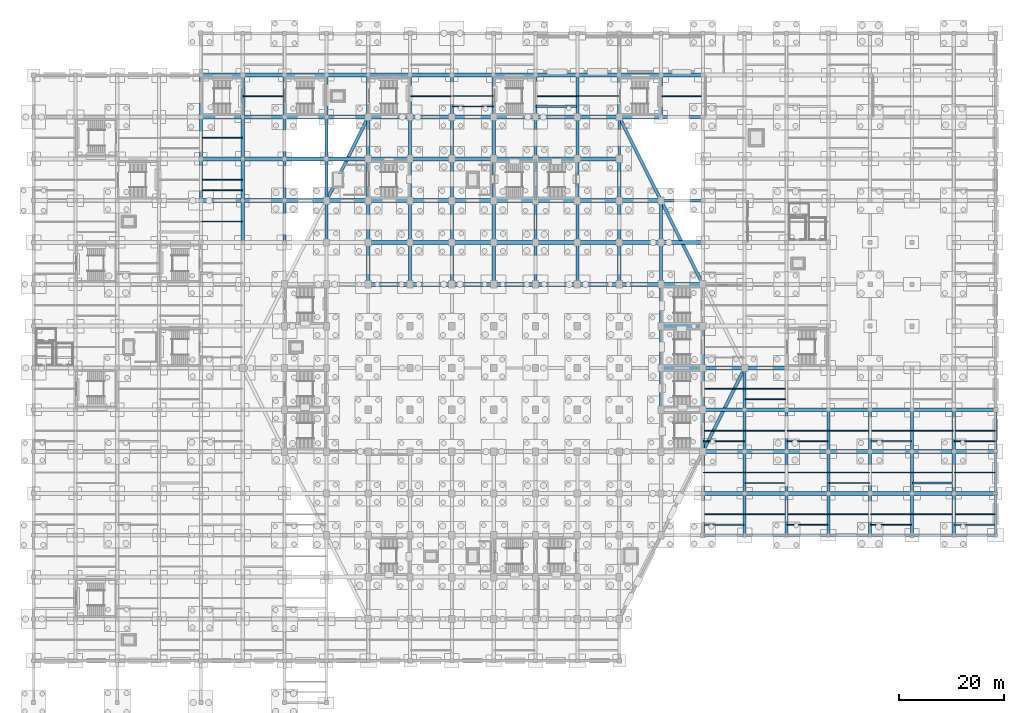
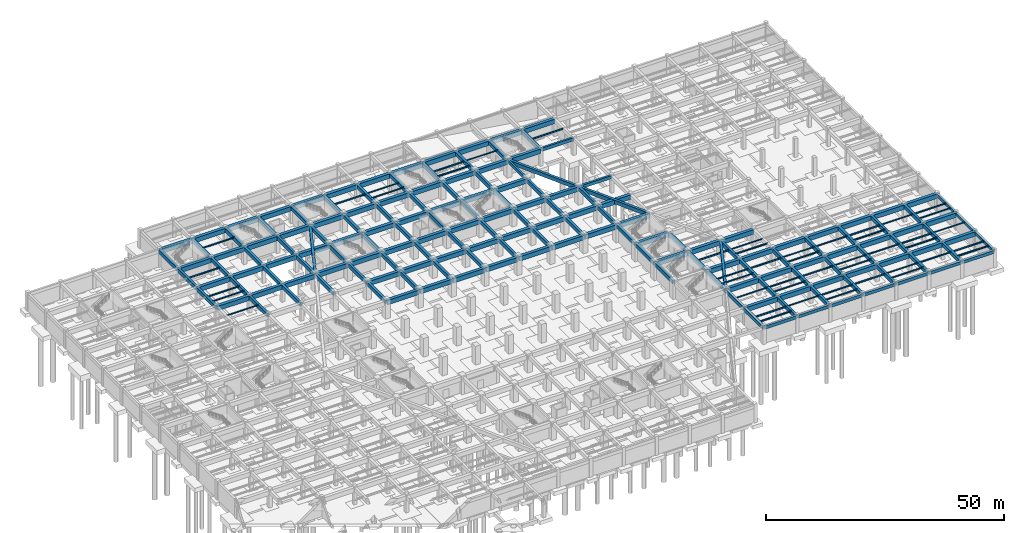
# One storey, part 19 of 36: 228 beams.
"""IFC4 building model written with IfcOpenShell, lengths in metres."""

from ifc_helpers import new_model, si_unit, direction, frame, origin, origin_2d, place, context, subcontext, project, spatial, rectangle, i_section, extrude, material, material_profile, profile_set, type_object, element, save


model = new_model("IFC4")

# Units and contexts
model_context = context("Model", 3, precision=1e-05, world=origin(), true_north=direction((0.0, 1.0)))
body_context = subcontext(model_context, "Body", "Model", "MODEL_VIEW")
ifc_project = project(units=[si_unit("LENGTHUNIT", "METRE"), si_unit("AREAUNIT", "SQUARE_METRE"), si_unit("VOLUMEUNIT", "CUBIC_METRE"), si_unit("PLANEANGLEUNIT", "RADIAN"), si_unit("MASSUNIT", "GRAM", prefix="KILO")], contexts=[model_context])

# Site, building, storey
site_placement = place(None, origin())
site = spatial("IfcSite", under=ifc_project, at=site_placement, CompositionType="ELEMENT")
building_placement = place(site_placement, origin())
building = spatial("IfcBuilding", under=site, at=building_placement, Name="Tazarka Park Arena", CompositionType="ELEMENT")
storey_placement = place(building_placement, frame((0.0, 0.0, -4.800048828125)))
storey = spatial("IfcBuildingStorey", under=building, at=storey_placement, Name="B1", CompositionType="ELEMENT", Elevation=-4.800048828125)

# Beams
ifc_material_1 = material(Name="Concrete C40/50", Category="concrete")
ifc_material_profile_1 = material_profile(ifc_material_1, rectangle(XDim=0.60009765625, YDim=0.949951171875, at=origin_2d()), Name="Concrete C40/50")
ifc_profile_set_1 = profile_set([ifc_material_profile_1], Name="Concrete C40/50")
beam_type_1 = type_object("IfcBeamType", Name="BM-B-03", PredefinedType="BEAM", material=ifc_profile_set_1)
for number, where, z_axis, x_axis, name in (
    (1, (32.0, 96.1201171875, 3.945068359375), (0.0, 1.0, 0.0), (-1.0, 0.0, 0.0), "GYM-B1-04-12"),
    (2, (32.0, 104.1201171875, 3.945068359375), (0.0, 1.0, 0.0), (-1.0, 0.0, 0.0), "GYM-B1-04-13"),
    (3, (32.0, 112.1201171875, 3.945068359375), (0.0, 1.0, 0.0), (-1.0, 0.0, 0.0), "GYM-B1-04-14"),
    (4, (40.0, 88.1201171875, 3.945068359375), (0.0, 1.0, 0.0), (-1.0, 0.0, 0.0), "GYM-B1-05-11"),
    (5, (40.0, 96.1201171875, 3.945068359375), (0.0, 1.0, 0.0), (-1.0, 0.0, 0.0), "GYM-B1-05-12"),
    (6, (40.0, 104.1201171875, 3.945068359375), (0.0, 1.0, 0.0), (-1.0, 0.0, 0.0), "GYM-B1-05-13"),
    (7, (40.0, 112.1201171875, 3.945068359375), (0.0, 1.0, 0.0), (-1.0, 0.0, 0.0), "GYM-B1-05-14"),
    (8, (48.0, 88.1201171875, 3.945068359375), (0.0, 1.0, 0.0), (-1.0, 0.0, 0.0), "GYM-B1-06-11"),
    (9, (48.0, 96.1201171875, 3.945068359375), (0.0, 1.0, 0.0), (-1.0, 0.0, 0.0), "GYM-B1-06-12"),
    (10, (48.0, 104.1201171875, 3.945068359375), (0.0, 1.0, 0.0), (-1.0, 0.0, 0.0), "GYM-B1-06-13"),
    (11, (48.0, 112.1201171875, 3.945068359375), (0.0, 1.0, 0.0), (-1.0, 0.0, 0.0), "GYM-B1-06-14"),
    (12, (56.0, 88.1201171875, 3.945068359375), (0.0, 1.0, 0.0), (-1.0, 0.0, 0.0), "GYM-B1-07-11"),
    (13, (56.0, 96.1201171875, 3.945068359375), (0.0, 1.0, 0.0), (-1.0, 0.0, 0.0), "GYM-B1-07-12"),
    (14, (56.0, 104.1201171875, 3.945068359375), (0.0, 1.0, 0.0), (-1.0, 0.0, 0.0), "GYM-B1-07-13"),
    (15, (56.0, 112.1201171875, 3.945068359375), (0.0, 1.0, 0.0), (-1.0, 0.0, 0.0), "GYM-B1-07-14"),
    (16, (64.0, 80.1201171875, 3.945068359375), (0.0, 1.0, 0.0), (-1.0, 0.0, 0.0), "GYM-B1-08-10"),
    (17, (64.0, 88.1201171875, 3.945068359375), (0.0, 1.0, 0.0), (-1.0, 0.0, 0.0), "GYM-B1-08-11"),
    (18, (64.0, 96.1201171875, 3.945068359375), (0.0, 1.0, 0.0), (-1.0, 0.0, 0.0), "GYM-B1-08-12"),
    (19, (64.0, 104.1201171875, 3.945068359375), (0.0, 1.0, 0.0), (-1.0, 0.0, 0.0), "GYM-B1-08-13"),
    (20, (64.0, 112.1201171875, 3.945068359375), (0.0, 1.0, 0.0), (-1.0, 0.0, 0.0), "GYM-B1-08-14"),
    (21, (72.0, 80.1201171875, 3.945068359375), (0.0, 1.0, 0.0), (-1.0, 0.0, 0.0), "GYM-B1-09-10"),
    (22, (72.0, 88.1201171875, 3.945068359375), (0.0, 1.0, 0.0), (-1.0, 0.0, 0.0), "GYM-B1-09-11"),
    (23, (72.0, 96.1201171875, 3.945068359375), (0.0, 1.0, 0.0), (-1.0, 0.0, 0.0), "GYM-B1-09-12"),
    (24, (72.0, 104.1201171875, 3.945068359375), (0.0, 1.0, 0.0), (-1.0, 0.0, 0.0), "GYM-B1-09-13"),
    (25, (72.0, 112.1201171875, 3.945068359375), (0.0, 1.0, 0.0), (-1.0, 0.0, 0.0), "GYM-B1-09-14"),
    (26, (80.0, 80.1201171875, 3.945068359375), (0.0, 1.0, 0.0), (-1.0, 0.0, 0.0), "GYM-B1-10-10"),
    (27, (80.0, 88.1201171875, 3.945068359375), (0.0, 1.0, 0.0), (-1.0, 0.0, 0.0), "GYM-B1-10-11"),
    (28, (80.0, 96.1201171875, 3.945068359375), (0.0, 1.0, 0.0), (-1.0, 0.0, 0.0), "GYM-B1-10-12"),
    (29, (80.0, 104.1201171875, 3.945068359375), (0.0, 1.0, 0.0), (-1.0, 0.0, 0.0), "GYM-B1-10-13"),
    (30, (80.0, 112.1201171875, 3.945068359375), (0.0, 1.0, 0.0), (-1.0, 0.0, 0.0), "GYM-B1-10-14"),
    (31, (88.0, 80.1201171875, 3.945068359375), (0.0, 1.0, 0.0), (-1.0, 0.0, 0.0), "GYM-B1-11-10"),
    (32, (88.0, 88.1201171875, 3.945068359375), (0.0, 1.0, 0.0), (-1.0, 0.0, 0.0), "GYM-B1-11-11"),
    (33, (88.0, 96.1201171875, 3.945068359375), (0.0, 1.0, 0.0), (-1.0, 0.0, 0.0), "GYM-B1-11-12"),
    (34, (88.0, 104.1201171875, 3.945068359375), (0.0, 1.0, 0.0), (-1.0, 0.0, 0.0), "GYM-B1-11-13"),
    (35, (88.0, 112.1201171875, 3.945068359375), (0.0, 1.0, 0.0), (-1.0, 0.0, 0.0), "GYM-B1-11-14"),
    (36, (96.0, 80.1201171875, 3.945068359375), (0.0, 1.0, 0.0), (-1.0, 0.0, 0.0), "GYM-B1-12-10"),
    (37, (96.0, 88.1201171875, 3.945068359375), (0.0, 1.0, 0.0), (-1.0, 0.0, 0.0), "GYM-B1-12-11"),
    (38, (96.0, 96.1201171875, 3.945068359375), (0.0, 1.0, 0.0), (-1.0, 0.0, 0.0), "GYM-B1-12-12"),
    (39, (96.0, 104.1201171875, 3.945068359375), (0.0, 1.0, 0.0), (-1.0, 0.0, 0.0), "GYM-B1-12-13"),
    (40, (96.0, 112.1201171875, 3.945068359375), (0.0, 1.0, 0.0), (-1.0, 0.0, 0.0), "GYM-B1-12-14"),
    (41, (104.0, 80.1201171875, 3.945068359375), (0.0, 1.0, 0.0), (-1.0, 0.0, 0.0), "GYM-B1-13-10"),
    (42, (104.0, 88.1201171875, 3.945068359375), (0.0, 1.0, 0.0), (-1.0, 0.0, 0.0), "GYM-B1-13-11"),
    (43, (104.0, 96.1201171875, 3.945068359375), (0.0, 1.0, 0.0), (-1.0, 0.0, 0.0), "GYM-B1-13-12"),
    (44, (104.0, 104.1201171875, 3.945068359375), (0.0, 1.0, 0.0), (-1.0, 0.0, 0.0), "GYM-B1-13-13"),
    (45, (104.0, 112.1201171875, 3.945068359375), (0.0, 1.0, 0.0), (-1.0, 0.0, 0.0), "GYM-B1-13-14"),
    (46, (112.0, 80.1201171875, 3.945068359375), (0.0, 1.0, 0.0), (-1.0, 0.0, 0.0), "GYM-B1-14-10"),
    (47, (112.0, 88.1201171875, 3.945068359375), (0.0, 1.0, 0.0), (-1.0, 0.0, 0.0), "GYM-B1-14-11"),
    (48, (112.0, 96.1201171875, 3.945068359375), (0.0, 1.0, 0.0), (-1.0, 0.0, 0.0), "GYM-B1-14-12"),
    (49, (112.0, 112.1201171875, 3.945068359375), (0.0, 1.0, 0.0), (-1.0, 0.0, 0.0), "GYM-B1-14-14"),
    (50, (120.0, 56.1201171875, 3.945068359375), (0.0, 1.0, 0.0), (-1.0, 0.0, 0.0), "GYM-B1-15-07"),
    (51, (120.0, 64.1201171875, 3.945068359375), (0.0, 1.0, 0.0), (-1.0, 0.0, 0.0), "GYM-B1-15-08"),
    (52, (120.0, 72.1201171875, 3.945068359375), (0.0, 1.0, 0.0), (-1.0, 0.0, 0.0), "GYM-B1-15-09"),
    (53, (120.0, 80.1201171875, 3.945068359375), (0.0, 1.0, 0.0), (-1.0, 0.0, 0.0), "GYM-B1-15-10"),
    (54, (120.0, 88.1201171875, 3.945068359375), (0.0, 1.0, 0.0), (-1.0, 0.0, 0.0), "GYM-B1-15-11"),
    (55, (120.0, 112.1201171875, 3.945068359375), (0.0, 1.0, 0.0), (-1.0, 0.0, 0.0), "GYM-B1-15-14"),
    (56, (128.0, 32.1201171875, 3.945068359375), (0.0, 1.0, 0.0), (-1.0, 0.0, 0.0), "GYM-B1-16-04"),
    (57, (128.0, 40.1201171875, 3.945068359375), (0.0, 1.0, 0.0), (-1.0, 0.0, 0.0), "GYM-B1-16-05"),
    (58, (128.0, 48.1201171875, 3.945068359375), (0.0, 1.0, 0.0), (-1.0, 0.0, 0.0), "GYM-B1-16-06"),
    (59, (128.0, 56.1201171875, 3.945068359375), (0.0, 1.0, 0.0), (-1.0, 0.0, 0.0), "GYM-B1-16-07"),
    (60, (128.0, 64.1201171875, 3.945068359375), (0.0, 1.0, 0.0), (-1.0, 0.0, 0.0), "GYM-B1-16-08"),
    (61, (136.0, 32.1201171875, 3.945068359375), (0.0, 1.0, 0.0), (-1.0, 0.0, 0.0), "GYM-B1-17-04"),
    (62, (136.0, 40.1201171875, 3.945068359375), (0.0, 1.0, 0.0), (-1.0, 0.0, 0.0), "GYM-B1-17-05"),
    (63, (136.0, 48.1201171875, 3.945068359375), (0.0, 1.0, 0.0), (-1.0, 0.0, 0.0), "GYM-B1-17-06"),
    (64, (136.0, 56.1201171875, 3.945068359375), (0.0, 1.0, 0.0), (-1.0, 0.0, 0.0), "GYM-B1-17-07"),
    (65, (144.0, 32.1201171875, 3.945068359375), (0.0, 1.0, 0.0), (-1.0, 0.0, 0.0), "GYM-B1-18-04"),
    (66, (144.0, 40.1201171875, 3.945068359375), (0.0, 1.0, 0.0), (-1.0, 0.0, 0.0), "GYM-B1-18-05"),
    (67, (144.0, 48.1201171875, 3.945068359375), (0.0, 1.0, 0.0), (-1.0, 0.0, 0.0), "GYM-B1-18-06"),
    (68, (152.0, 32.1201171875, 3.945068359375), (0.0, 1.0, 0.0), (-1.0, 0.0, 0.0), "GYM-B1-19-04"),
    (69, (152.0, 40.1201171875, 3.945068359375), (0.0, 1.0, 0.0), (-1.0, 0.0, 0.0), "GYM-B1-19-05"),
    (70, (152.0, 48.1201171875, 3.945068359375), (0.0, 1.0, 0.0), (-1.0, 0.0, 0.0), "GYM-B1-19-06"),
    (71, (160.0, 32.1201171875, 3.945068359375), (0.0, 1.0, 0.0), (-1.0, 0.0, 0.0), "GYM-B1-20-04"),
    (72, (160.0, 40.1201171875, 3.945068359375), (0.0, 1.0, 0.0), (-1.0, 0.0, 0.0), "GYM-B1-20-05"),
    (73, (160.0, 48.1201171875, 3.945068359375), (0.0, 1.0, 0.0), (-1.0, 0.0, 0.0), "GYM-B1-20-06"),
    (74, (168.0, 32.1201171875, 3.945068359375), (0.0, 1.0, 0.0), (-1.0, 0.0, 0.0), "GYM-B1-21-04"),
    (75, (168.0, 40.1201171875, 3.945068359375), (0.0, 1.0, 0.0), (-1.0, 0.0, 0.0), "GYM-B1-21-05"),
    (76, (168.0, 48.1201171875, 3.945068359375), (0.0, 1.0, 0.0), (-1.0, 0.0, 0.0), "GYM-B1-21-06"),
    (77, (176.0, 32.1201171875, 3.945068359375), (0.0, 1.0, 0.0), (-1.0, 0.0, 0.0), "GYM-B1-22-04"),
    (78, (176.0, 40.1201171875, 3.945068359375), (0.0, 1.0, 0.0), (-1.0, 0.0, 0.0), "GYM-B1-22-05"),
    (79, (176.0, 48.1201171875, 3.945068359375), (0.0, 1.0, 0.0), (-1.0, 0.0, 0.0), "GYM-B1-22-06"),
):
    element("IfcBeam", number, at=place(storey_placement, frame(where, z_axis=z_axis, x_axis=x_axis)), inside=storey, type_object=beam_type_1, Name=name, PredefinedType="BEAM", context=body_context, shape_type="SweptSolid", body=[
        extrude(rectangle(XDim=0.60009765625, YDim=0.949951171875, at=origin_2d()), origin(), (0.0, 0.0, 1.0), 7.759765625),
    ])
ifc_material_2 = material(Name="Concrete C40/50", Category="concrete")
ifc_material_profile_2 = material_profile(ifc_material_2, rectangle(XDim=0.75, YDim=1.14990234375, at=origin_2d()), Name="Concrete C40/50")
ifc_profile_set_2 = profile_set([ifc_material_profile_2], Name="Concrete C40/50")
beam_type_2 = type_object("IfcBeamType", Name="BM-B-04", PredefinedType="BEAM", material=ifc_profile_set_2)
for number, where, z_axis, x_axis, name in (
    (80, (32.1201171875, 96.0, 3.844970703125), (1.0, 0.0, 0.0), (0.0, 1.0, 0.0), "GXM-B1-04-12"),
    (81, (32.1201171875, 104.0, 3.844970703125), (1.0, 0.0, 0.0), (0.0, 1.0, 0.0), "GXM-B1-04-13"),
    (82, (32.1201171875, 112.0, 3.844970703125), (1.0, 0.0, 0.0), (0.0, 1.0, 0.0), "GXM-B1-04-14"),
    (83, (32.1201171875, 120.0, 3.844970703125), (1.0, 0.0, 0.0), (0.0, 1.0, 0.0), "GXM-B1-04-15"),
    (84, (40.1201171875, 96.0, 3.844970703125), (1.0, 0.0, 0.0), (0.0, 1.0, 0.0), "GXM-B1-05-12"),
    (85, (40.1201171875, 104.0, 3.844970703125), (1.0, 0.0, 0.0), (0.0, 1.0, 0.0), "GXM-B1-05-13"),
    (86, (40.1201171875, 112.0, 3.844970703125), (1.0, 0.0, 0.0), (0.0, 1.0, 0.0), "GXM-B1-05-14"),
    (87, (40.1201171875, 120.0, 3.844970703125), (1.0, 0.0, 0.0), (0.0, 1.0, 0.0), "GXM-B1-05-15"),
    (88, (48.1201171875, 96.0, 3.844970703125), (1.0, 0.0, 0.0), (0.0, 1.0, 0.0), "GXM-B1-06-12"),
    (89, (48.1201171875, 104.0, 3.844970703125), (1.0, 0.0, 0.0), (0.0, 1.0, 0.0), "GXM-B1-06-13"),
    (90, (48.1201171875, 112.0, 3.844970703125), (1.0, 0.0, 0.0), (0.0, 1.0, 0.0), "GXM-B1-06-14"),
    (91, (48.1201171875, 120.0, 3.844970703125), (1.0, 0.0, 0.0), (0.0, 1.0, 0.0), "GXM-B1-06-15"),
    (92, (56.1201171875, 96.0, 3.844970703125), (1.0, 0.0, 0.0), (0.0, 1.0, 0.0), "GXM-B1-07-12"),
    (93, (56.1201171875, 104.0, 3.844970703125), (1.0, 0.0, 0.0), (0.0, 1.0, 0.0), "GXM-B1-07-13"),
    (94, (56.1201171875, 112.0, 3.844970703125), (1.0, 0.0, 0.0), (0.0, 1.0, 0.0), "GXM-B1-07-14"),
    (95, (56.1201171875, 120.0, 3.844970703125), (1.0, 0.0, 0.0), (0.0, 1.0, 0.0), "GXM-B1-07-15"),
    (96, (64.1201171875, 80.0, 3.844970703125), (1.0, 0.0, 0.0), (0.0, 1.0, 0.0), "GXM-B1-08-10"),
    (97, (64.1201171875, 88.0, 3.844970703125), (1.0, 0.0, 0.0), (0.0, 1.0, 0.0), "GXM-B1-08-11"),
    (98, (64.1201171875, 96.0, 3.844970703125), (1.0, 0.0, 0.0), (0.0, 1.0, 0.0), "GXM-B1-08-12"),
    (99, (64.1201171875, 104.0, 3.844970703125), (1.0, 0.0, 0.0), (0.0, 1.0, 0.0), "GXM-B1-08-13"),
    (100, (64.1201171875, 112.0, 3.844970703125), (1.0, 0.0, 0.0), (0.0, 1.0, 0.0), "GXM-B1-08-14"),
    (101, (64.1201171875, 120.0, 3.844970703125), (1.0, 0.0, 0.0), (0.0, 1.0, 0.0), "GXM-B1-08-15"),
    (102, (72.1201171875, 80.0, 3.844970703125), (1.0, 0.0, 0.0), (0.0, 1.0, 0.0), "GXM-B1-09-10"),
    (103, (72.1201171875, 88.0, 3.844970703125), (1.0, 0.0, 0.0), (0.0, 1.0, 0.0), "GXM-B1-09-11"),
    (104, (72.1201171875, 96.0, 3.844970703125), (1.0, 0.0, 0.0), (0.0, 1.0, 0.0), "GXM-B1-09-12"),
    (105, (72.1201171875, 104.0, 3.844970703125), (1.0, 0.0, 0.0), (0.0, 1.0, 0.0), "GXM-B1-09-13"),
    (106, (72.1201171875, 112.0, 3.844970703125), (1.0, 0.0, 0.0), (0.0, 1.0, 0.0), "GXM-B1-09-14"),
    (107, (72.1201171875, 120.0, 3.844970703125), (1.0, 0.0, 0.0), (0.0, 1.0, 0.0), "GXM-B1-09-15"),
    (108, (80.1201171875, 80.0, 3.844970703125), (1.0, 0.0, 0.0), (0.0, 1.0, 0.0), "GXM-B1-10-10"),
    (109, (80.1201171875, 88.0, 3.844970703125), (1.0, 0.0, 0.0), (0.0, 1.0, 0.0), "GXM-B1-10-11"),
    (110, (80.1201171875, 96.0, 3.844970703125), (1.0, 0.0, 0.0), (0.0, 1.0, 0.0), "GXM-B1-10-12"),
    (111, (80.1201171875, 104.0, 3.844970703125), (1.0, 0.0, 0.0), (0.0, 1.0, 0.0), "GXM-B1-10-13"),
    (112, (80.1201171875, 112.0, 3.844970703125), (1.0, 0.0, 0.0), (0.0, 1.0, 0.0), "GXM-B1-10-14"),
    (113, (80.1201171875, 120.0, 3.844970703125), (1.0, 0.0, 0.0), (0.0, 1.0, 0.0), "GXM-B1-10-15"),
    (114, (88.1201171875, 80.0, 3.844970703125), (1.0, 0.0, 0.0), (0.0, 1.0, 0.0), "GXM-B1-11-10"),
    (115, (88.1201171875, 88.0, 3.844970703125), (1.0, 0.0, 0.0), (0.0, 1.0, 0.0), "GXM-B1-11-11"),
    (116, (88.1201171875, 96.0, 3.844970703125), (1.0, 0.0, 0.0), (0.0, 1.0, 0.0), "GXM-B1-11-12"),
    (117, (88.1201171875, 104.0, 3.844970703125), (1.0, 0.0, 0.0), (0.0, 1.0, 0.0), "GXM-B1-11-13"),
    (118, (88.1201171875, 112.0, 3.844970703125), (1.0, 0.0, 0.0), (0.0, 1.0, 0.0), "GXM-B1-11-14"),
    (119, (88.1201171875, 120.0, 3.844970703125), (1.0, 0.0, 0.0), (0.0, 1.0, 0.0), "GXM-B1-11-15"),
    (120, (96.1201171875, 80.0, 3.844970703125), (1.0, 0.0, 0.0), (0.0, 1.0, 0.0), "GXM-B1-12-10"),
    (121, (96.1201171875, 88.0, 3.844970703125), (1.0, 0.0, 0.0), (0.0, 1.0, 0.0), "GXM-B1-12-11"),
    (122, (96.1201171875, 96.0, 3.844970703125), (1.0, 0.0, 0.0), (0.0, 1.0, 0.0), "GXM-B1-12-12"),
    (123, (96.1201171875, 104.0, 3.844970703125), (1.0, 0.0, 0.0), (0.0, 1.0, 0.0), "GXM-B1-12-13"),
    (124, (96.1201171875, 112.0, 3.844970703125), (1.0, 0.0, 0.0), (0.0, 1.0, 0.0), "GXM-B1-12-14"),
    (125, (96.1201171875, 120.0, 3.844970703125), (1.0, 0.0, 0.0), (0.0, 1.0, 0.0), "GXM-B1-12-15"),
    (126, (104.1201171875, 80.0, 3.844970703125), (1.0, 0.0, 0.0), (0.0, 1.0, 0.0), "GXM-B1-13-10"),
    (127, (104.1201171875, 88.0, 3.844970703125), (1.0, 0.0, 0.0), (0.0, 1.0, 0.0), "GXM-B1-13-11"),
    (128, (104.1201171875, 96.0, 3.844970703125), (1.0, 0.0, 0.0), (0.0, 1.0, 0.0), "GXM-B1-13-12"),
    (129, (104.1201171875, 104.0, 3.844970703125), (1.0, 0.0, 0.0), (0.0, 1.0, 0.0), "GXM-B1-13-13"),
    (130, (104.1201171875, 112.0, 3.844970703125), (1.0, 0.0, 0.0), (0.0, 1.0, 0.0), "GXM-B1-13-14"),
    (131, (104.1201171875, 120.0, 3.844970703125), (1.0, 0.0, 0.0), (0.0, 1.0, 0.0), "GXM-B1-13-15"),
    (132, (112.1201171875, 80.0, 3.844970703125), (1.0, 0.0, 0.0), (0.0, 1.0, 0.0), "GXM-B1-14-10"),
    (133, (112.1201171875, 88.0, 3.844970703125), (1.0, 0.0, 0.0), (0.0, 1.0, 0.0), "GXM-B1-14-11"),
    (134, (112.1201171875, 96.0, 3.844970703125), (1.0, 0.0, 0.0), (0.0, 1.0, 0.0), "GXM-B1-14-12"),
    (135, (112.1201171875, 112.0, 3.844970703125), (1.0, 0.0, 0.0), (0.0, 1.0, 0.0), "GXM-B1-14-14"),
    (136, (112.1201171875, 120.0, 3.844970703125), (1.0, 0.0, 0.0), (0.0, 1.0, 0.0), "GXM-B1-14-15"),
    (137, (120.1201171875, 64.0, 3.844970703125), (1.0, 0.0, 0.0), (0.0, 1.0, 0.0), "GXM-B1-15-08"),
    (138, (120.1201171875, 72.0, 3.844970703125), (1.0, 0.0, 0.0), (0.0, 1.0, 0.0), "GXM-B1-15-09"),
    (139, (120.1201171875, 80.0, 3.844970703125), (1.0, 0.0, 0.0), (0.0, 1.0, 0.0), "GXM-B1-15-10"),
    (140, (120.1201171875, 88.0, 3.844970703125), (1.0, 0.0, 0.0), (0.0, 1.0, 0.0), "GXM-B1-15-11"),
    (141, (120.1201171875, 120.0, 3.844970703125), (1.0, 0.0, 0.0), (0.0, 1.0, 0.0), "GXM-B1-15-15"),
    (142, (128.1201171875, 40.0, 3.844970703125), (1.0, 0.0, 0.0), (0.0, 1.0, 0.0), "GXM-B1-16-05"),
    (143, (128.1201171875, 48.0, 3.844970703125), (1.0, 0.0, 0.0), (0.0, 1.0, 0.0), "GXM-B1-16-06"),
    (144, (128.1201171875, 56.0, 3.844970703125), (1.0, 0.0, 0.0), (0.0, 1.0, 0.0), "GXM-B1-16-07"),
    (145, (128.1201171875, 64.0, 3.844970703125), (1.0, 0.0, 0.0), (0.0, 1.0, 0.0), "GXM-B1-16-08"),
    (146, (136.1201171875, 40.0, 3.844970703125), (1.0, 0.0, 0.0), (0.0, 1.0, 0.0), "GXM-B1-17-05"),
    (147, (136.1201171875, 48.0, 3.844970703125), (1.0, 0.0, 0.0), (0.0, 1.0, 0.0), "GXM-B1-17-06"),
    (148, (136.1201171875, 56.0, 3.844970703125), (1.0, 0.0, 0.0), (0.0, 1.0, 0.0), "GXM-B1-17-07"),
    (149, (136.1201171875, 64.0, 3.844970703125), (1.0, 0.0, 0.0), (0.0, 1.0, 0.0), "GXM-B1-17-08"),
    (150, (144.1201171875, 40.0, 3.844970703125), (1.0, 0.0, 0.0), (0.0, 1.0, 0.0), "GXM-B1-18-05"),
    (151, (144.1201171875, 48.0, 3.844970703125), (1.0, 0.0, 0.0), (0.0, 1.0, 0.0), "GXM-B1-18-06"),
    (152, (144.1201171875, 56.0, 3.844970703125), (1.0, 0.0, 0.0), (0.0, 1.0, 0.0), "GXM-B1-18-07"),
    (153, (152.1201171875, 40.0, 3.844970703125), (1.0, 0.0, 0.0), (0.0, 1.0, 0.0), "GXM-B1-19-05"),
    (154, (152.1201171875, 48.0, 3.844970703125), (1.0, 0.0, 0.0), (0.0, 1.0, 0.0), "GXM-B1-19-06"),
    (155, (152.1201171875, 56.0, 3.844970703125), (1.0, 0.0, 0.0), (0.0, 1.0, 0.0), "GXM-B1-19-07"),
    (156, (160.1201171875, 40.0, 3.844970703125), (1.0, 0.0, 0.0), (0.0, 1.0, 0.0), "GXM-B1-20-05"),
    (157, (160.1201171875, 48.0, 3.844970703125), (1.0, 0.0, 0.0), (0.0, 1.0, 0.0), "GXM-B1-20-06"),
    (158, (160.1201171875, 56.0, 3.844970703125), (1.0, 0.0, 0.0), (0.0, 1.0, 0.0), "GXM-B1-20-07"),
    (159, (168.1201171875, 40.0, 3.844970703125), (1.0, 0.0, 0.0), (0.0, 1.0, 0.0), "GXM-B1-21-05"),
    (160, (168.1201171875, 48.0, 3.844970703125), (1.0, 0.0, 0.0), (0.0, 1.0, 0.0), "GXM-B1-21-06"),
    (161, (168.1201171875, 56.0, 3.844970703125), (1.0, 0.0, 0.0), (0.0, 1.0, 0.0), "GXM-B1-21-07"),
    (162, (176.1201171875, 40.0, 3.844970703125), (1.0, 0.0, 0.0), (0.0, 1.0, 0.0), "GXM-B1-22-05"),
    (163, (176.1201171875, 48.0, 3.844970703125), (1.0, 0.0, 0.0), (0.0, 1.0, 0.0), "GXM-B1-22-06"),
    (164, (176.1201171875, 56.0, 3.844970703125), (1.0, 0.0, 0.0), (0.0, 1.0, 0.0), "GXM-B1-22-07"),
):
    element("IfcBeam", number, at=place(storey_placement, frame(where, z_axis=z_axis, x_axis=x_axis)), inside=storey, type_object=beam_type_2, Name=name, PredefinedType="BEAM", context=body_context, shape_type="SweptSolid", body=[
        extrude(rectangle(XDim=0.75, YDim=1.14990234375, at=origin_2d()), origin(), (0.0, 0.0, 1.0), 7.759765625),
    ])
ifc_material_3 = material(Name="Steel S355", Category="steel")
ifc_material_profile_3 = material_profile(ifc_material_3, i_section(OverallWidth=0.14990234375, OverallDepth=0.300048828125, WebThickness=0.007080078125, FlangeThickness=0.0107421875, FilletRadius=0.014892578125, at=origin_2d()), Name="Steel S355")
ifc_profile_set_3 = profile_set([ifc_material_profile_3], Name="Steel S355")
beam_type_3 = type_object("IfcBeamType", Name="BM-J-01", PredefinedType="JOIST", material=ifc_profile_set_3)
for number, where, z_axis, x_axis, name in (
    (165, (32.1201171875, 92.0, 4.27001953125), (1.0, 0.0, 0.0), (0.0, 1.0, 0.0), "JST-B1-04-11"),
    (166, (80.1201171875, 116.0, 4.27001953125), (1.0, 0.0, 0.0), (0.0, 1.0, 0.0), "JST-B1-10-14"),
    (167, (104.1201171875, 116.0, 4.27001953125), (1.0, 0.0, 0.0), (0.0, 1.0, 0.0), "JST-B1-13-14"),
    (168, (128.1201171875, 44.0, 4.27001953125), (1.0, 0.0, 0.0), (0.0, 1.0, 0.0), "JST-B1-16-05"),
    (169, (136.1201171875, 36.0, 4.27001953125), (1.0, 0.0, 0.0), (0.0, 1.0, 0.0), "JST-B1-17-04"),
    (170, (136.1201171875, 60.0, 4.27001953125), (1.0, 0.0, 0.0), (0.0, 1.0, 0.0), "JST-B1-17-07"),
    (171, (144.1201171875, 52.0, 4.27001953125), (1.0, 0.0, 0.0), (0.0, 1.0, 0.0), "JST-B1-18-06"),
    (172, (152.1201171875, 44.0, 4.27001953125), (1.0, 0.0, 0.0), (0.0, 1.0, 0.0), "JST-B1-19-05"),
    (173, (160.1201171875, 36.0, 4.27001953125), (1.0, 0.0, 0.0), (0.0, 1.0, 0.0), "JST-B1-20-04"),
    (174, (168.1201171875, 52.0, 4.27001953125), (1.0, 0.0, 0.0), (0.0, 1.0, 0.0), "JST-B1-21-06"),
    (175, (176.1201171875, 44.0, 4.27001953125), (1.0, 0.0, 0.0), (0.0, 1.0, 0.0), "JST-B1-22-05"),
):
    element("IfcBeam", number, at=place(storey_placement, frame(where, z_axis=z_axis, x_axis=x_axis)), inside=storey, type_object=beam_type_3, Name=name, PredefinedType="JOIST", context=body_context, shape_type="SweptSolid", body=[
        extrude(i_section(OverallWidth=0.14990234375, OverallDepth=0.300048828125, WebThickness=0.007080078125, FlangeThickness=0.0107421875, FilletRadius=0.014892578125, at=origin_2d()), origin(), (0.0, 0.0, 1.0), 7.759765625),
    ])
ifc_material_4 = material(Name="Steel S355", Category="steel")
ifc_material_profile_4 = material_profile(ifc_material_4, i_section(OverallWidth=0.169921875, OverallDepth=0.360107421875, WebThickness=0.008056640625, FlangeThickness=0.0126953125, FilletRadius=0.01806640625, at=origin_2d()), Name="Steel S355")
ifc_profile_set_4 = profile_set([ifc_material_profile_4], Name="Steel S355")
beam_type_4 = type_object("IfcBeamType", Name="BM-J-02", PredefinedType="JOIST", material=ifc_profile_set_4)
for number, where, z_axis, x_axis, name in (
    (176, (32.1201171875, 100.0, 4.239990234375), (1.0, 0.0, 0.0), (0.0, 1.0, 0.0), "JST-B1-04-12"),
    (177, (40.1201171875, 116.0, 4.239990234375), (1.0, 0.0, 0.0), (0.0, 1.0, 0.0), "JST-B1-05-14"),
    (178, (128.1201171875, 52.0, 4.239990234375), (1.0, 0.0, 0.0), (0.0, 1.0, 0.0), "JST-B1-16-06"),
    (179, (136.1201171875, 44.0, 4.239990234375), (1.0, 0.0, 0.0), (0.0, 1.0, 0.0), "JST-B1-17-05"),
    (180, (144.1201171875, 36.0, 4.239990234375), (1.0, 0.0, 0.0), (0.0, 1.0, 0.0), "JST-B1-18-04"),
    (181, (152.1201171875, 52.0, 4.239990234375), (1.0, 0.0, 0.0), (0.0, 1.0, 0.0), "JST-B1-19-06"),
    (182, (160.1201171875, 44.0, 4.239990234375), (1.0, 0.0, 0.0), (0.0, 1.0, 0.0), "JST-B1-20-05"),
    (183, (168.1201171875, 36.0, 4.239990234375), (1.0, 0.0, 0.0), (0.0, 1.0, 0.0), "JST-B1-21-04"),
    (184, (176.1201171875, 52.0, 4.239990234375), (1.0, 0.0, 0.0), (0.0, 1.0, 0.0), "JST-B1-22-06"),
):
    element("IfcBeam", number, at=place(storey_placement, frame(where, z_axis=z_axis, x_axis=x_axis)), inside=storey, type_object=beam_type_4, Name=name, PredefinedType="JOIST", context=body_context, shape_type="SweptSolid", body=[
        extrude(i_section(OverallWidth=0.169921875, OverallDepth=0.360107421875, WebThickness=0.008056640625, FlangeThickness=0.0126953125, FilletRadius=0.01806640625, at=origin_2d()), origin(), (0.0, 0.0, 1.0), 7.759765625),
    ])
ifc_material_5 = material(Name="Steel S355", Category="steel")
ifc_material_profile_5 = material_profile(ifc_material_5, i_section(OverallWidth=0.179931640625, OverallDepth=0.39990234375, WebThickness=0.008544921875, FlangeThickness=0.013427734375, FilletRadius=0.02099609375, at=origin_2d()), Name="Steel S355")
ifc_profile_set_5 = profile_set([ifc_material_profile_5], Name="Steel S355")
beam_type_5 = type_object("IfcBeamType", Name="BM-J-03", PredefinedType="JOIST", material=ifc_profile_set_5)
for number, where, z_axis, x_axis, name in (
    (185, (32.1201171875, 108.0, 4.219970703125), (1.0, 0.0, 0.0), (0.0, 1.0, 0.0), "JST-B1-04-13"),
    (186, (72.1201171875, 116.0, 4.219970703125), (1.0, 0.0, 0.0), (0.0, 1.0, 0.0), "JST-B1-09-14"),
    (187, (96.1201171875, 116.0, 4.219970703125), (1.0, 0.0, 0.0), (0.0, 1.0, 0.0), "JST-B1-12-14"),
    (188, (120.1201171875, 116.0, 4.219970703125), (1.0, 0.0, 0.0), (0.0, 1.0, 0.0), "JST-B1-15-14"),
    (189, (128.1201171875, 36.0, 4.219970703125), (1.0, 0.0, 0.0), (0.0, 1.0, 0.0), "JST-B1-16-04"),
    (190, (128.1201171875, 60.0, 4.219970703125), (1.0, 0.0, 0.0), (0.0, 1.0, 0.0), "JST-B1-16-07"),
    (191, (136.1201171875, 52.0, 4.219970703125), (1.0, 0.0, 0.0), (0.0, 1.0, 0.0), "JST-B1-17-06"),
    (192, (144.1201171875, 44.0, 4.219970703125), (1.0, 0.0, 0.0), (0.0, 1.0, 0.0), "JST-B1-18-05"),
    (193, (152.1201171875, 36.0, 4.219970703125), (1.0, 0.0, 0.0), (0.0, 1.0, 0.0), "JST-B1-19-04"),
    (194, (160.1201171875, 52.0, 4.219970703125), (1.0, 0.0, 0.0), (0.0, 1.0, 0.0), "JST-B1-20-06"),
    (195, (168.1201171875, 44.0, 4.219970703125), (1.0, 0.0, 0.0), (0.0, 1.0, 0.0), "JST-B1-21-05"),
    (196, (176.1201171875, 36.0, 4.219970703125), (1.0, 0.0, 0.0), (0.0, 1.0, 0.0), "JST-B1-22-04"),
):
    element("IfcBeam", number, at=place(storey_placement, frame(where, z_axis=z_axis, x_axis=x_axis)), inside=storey, type_object=beam_type_5, Name=name, PredefinedType="JOIST", context=body_context, shape_type="SweptSolid", body=[
        extrude(i_section(OverallWidth=0.179931640625, OverallDepth=0.39990234375, WebThickness=0.008544921875, FlangeThickness=0.013427734375, FilletRadius=0.02099609375, at=origin_2d()), origin(), (0.0, 0.0, 1.0), 7.759765625),
    ])
ifc_material_6 = material(Name="Steel S355", Category="steel")
ifc_material_profile_6 = material_profile(ifc_material_6, i_section(OverallWidth=0.135009765625, OverallDepth=0.27001953125, WebThickness=0.006591796875, FlangeThickness=0.01025390625, FilletRadius=0.014892578125, at=origin_2d()), Name="Steel S355")
ifc_profile_set_6 = profile_set([ifc_material_profile_6], Name="Steel S355")
beam_type_6 = type_object("IfcBeamType", Name="BM-J-04", PredefinedType="JOIST", material=ifc_profile_set_6)
for number, where, z_axis, x_axis, name in (
    (197, (80.1201171875, 114.0, 4.28515625), (1.0, 0.0, 0.0), (0.0, 1.0, 0.0), "JST2-B1-10-14"),
    (198, (136.1201171875, 58.0, 4.28515625), (1.0, 0.0, 0.0), (0.0, 1.0, 0.0), "JST2-B1-17-07"),
    (199, (144.1201171875, 50.0, 4.28515625), (1.0, 0.0, 0.0), (0.0, 1.0, 0.0), "JST2-B1-18-06"),
    (200, (152.1201171875, 42.0, 4.28515625), (1.0, 0.0, 0.0), (0.0, 1.0, 0.0), "JST2-B1-19-05"),
    (201, (160.1201171875, 34.0, 4.28515625), (1.0, 0.0, 0.0), (0.0, 1.0, 0.0), "JST2-B1-20-04"),
):
    element("IfcBeam", number, at=place(storey_placement, frame(where, z_axis=z_axis, x_axis=x_axis)), inside=storey, type_object=beam_type_6, Name=name, PredefinedType="JOIST", context=body_context, shape_type="SweptSolid", body=[
        extrude(i_section(OverallWidth=0.135009765625, OverallDepth=0.27001953125, WebThickness=0.006591796875, FlangeThickness=0.01025390625, FilletRadius=0.014892578125, at=origin_2d()), origin(), (0.0, 0.0, 1.0), 7.759765625),
    ])
ifc_material_7 = material(Name="Steel S355", Category="steel")
ifc_material_profile_7 = material_profile(ifc_material_7, i_section(OverallWidth=0.159912109375, OverallDepth=0.330078125, WebThickness=0.007568359375, FlangeThickness=0.011474609375, FilletRadius=0.01806640625, at=origin_2d()), Name="Steel S355")
ifc_profile_set_7 = profile_set([ifc_material_profile_7], Name="Steel S355")
beam_type_7 = type_object("IfcBeamType", Name="BM-J-05", PredefinedType="JOIST", material=ifc_profile_set_7)
for number, where, z_axis, x_axis, name in (
    (202, (32.1201171875, 98.0, 4.255126953125), (1.0, 0.0, 0.0), (0.0, 1.0, 0.0), "JST2-B1-04-12"),
    (203, (128.1201171875, 50.0, 4.255126953125), (1.0, 0.0, 0.0), (0.0, 1.0, 0.0), "JST2-B1-16-06"),
    (204, (136.1201171875, 42.0, 4.255126953125), (1.0, 0.0, 0.0), (0.0, 1.0, 0.0), "JST2-B1-17-05"),
    (205, (144.1201171875, 34.0, 4.255126953125), (1.0, 0.0, 0.0), (0.0, 1.0, 0.0), "JST2-B1-18-04"),
    (206, (176.1201171875, 50.0, 4.255126953125), (1.0, 0.0, 0.0), (0.0, 1.0, 0.0), "JST2-B1-22-06"),
):
    element("IfcBeam", number, at=place(storey_placement, frame(where, z_axis=z_axis, x_axis=x_axis)), inside=storey, type_object=beam_type_7, Name=name, PredefinedType="JOIST", context=body_context, shape_type="SweptSolid", body=[
        extrude(i_section(OverallWidth=0.159912109375, OverallDepth=0.330078125, WebThickness=0.007568359375, FlangeThickness=0.011474609375, FilletRadius=0.01806640625, at=origin_2d()), origin(), (0.0, 0.0, 1.0), 7.759765625),
    ])
ifc_material_8 = material(Name="Steel S355", Category="steel")
ifc_material_profile_8 = material_profile(ifc_material_8, i_section(OverallWidth=0.300048828125, OverallDepth=0.330078125, WebThickness=0.009521484375, FlangeThickness=0.0166015625, FilletRadius=0.027099609375, at=origin_2d()), Name="Steel S355")
ifc_profile_set_8 = profile_set([ifc_material_profile_8], Name="Steel S355")
beam_type_8 = type_object("IfcBeamType", Name="BM-J-06", PredefinedType="JOIST", material=ifc_profile_set_8)
for number, where, z_axis, x_axis, name in (
    (207, (96.1201171875, 114.0, 4.255126953125), (1.0, 0.0, 0.0), (0.0, 1.0, 0.0), "JST2-B1-12-14"),
    (208, (128.1201171875, 34.0, 4.255126953125), (1.0, 0.0, 0.0), (0.0, 1.0, 0.0), "JST2-B1-16-04"),
    (209, (160.1201171875, 50.0, 4.255126953125), (1.0, 0.0, 0.0), (0.0, 1.0, 0.0), "JST2-B1-20-06"),
    (210, (168.1201171875, 42.0, 4.255126953125), (1.0, 0.0, 0.0), (0.0, 1.0, 0.0), "JST2-B1-21-05"),
    (211, (176.1201171875, 34.0, 4.255126953125), (1.0, 0.0, 0.0), (0.0, 1.0, 0.0), "JST2-B1-22-04"),
):
    element("IfcBeam", number, at=place(storey_placement, frame(where, z_axis=z_axis, x_axis=x_axis)), inside=storey, type_object=beam_type_8, Name=name, PredefinedType="JOIST", context=body_context, shape_type="SweptSolid", body=[
        extrude(i_section(OverallWidth=0.300048828125, OverallDepth=0.330078125, WebThickness=0.009521484375, FlangeThickness=0.0166015625, FilletRadius=0.027099609375, at=origin_2d()), origin(), (0.0, 0.0, 1.0), 7.759765625),
    ])
ifc_material_9 = material(Name="Concrete C40/50", Category="concrete")
ifc_material_profile_9 = material_profile(ifc_material_9, rectangle(XDim=0.5, YDim=0.800048828125, at=origin_2d()), Name="Concrete C40/50")
ifc_profile_set_9 = profile_set([ifc_material_profile_9], Name="Concrete C40/50")
beam_type_9 = type_object("IfcBeamType", Name="BM-SP-01", PredefinedType="SPANDREL", material=ifc_profile_set_9)
for number, where, z_axis, x_axis, name in (
    (212, (112.0, 104.1201171875, 4.02001953125), (0.0, 1.0, 0.0), (-1.0, 0.0, 0.0), "GYM-B1-14-13"),
    (213, (120.1201171875, 96.0, 4.02001953125), (1.0, 0.0, 0.0), (0.0, 1.0, 0.0), "GXM-B1-15-12"),
    (214, (120.1201171875, 112.0, 4.02001953125), (1.0, 0.0, 0.0), (0.0, 1.0, 0.0), "GXM-B1-15-14"),
    (215, (128.1201171875, 32.0, 4.02001953125), (1.0, 0.0, 0.0), (0.0, 1.0, 0.0), "GXM-B1-16-04"),
    (216, (136.1201171875, 32.0, 4.02001953125), (1.0, 0.0, 0.0), (0.0, 1.0, 0.0), "GXM-B1-17-04"),
    (217, (144.1201171875, 32.0, 4.02001953125), (1.0, 0.0, 0.0), (0.0, 1.0, 0.0), "GXM-B1-18-04"),
    (218, (152.1201171875, 32.0, 4.02001953125), (1.0, 0.0, 0.0), (0.0, 1.0, 0.0), "GXM-B1-19-04"),
    (219, (160.1201171875, 32.0, 4.02001953125), (1.0, 0.0, 0.0), (0.0, 1.0, 0.0), "GXM-B1-20-04"),
    (220, (168.1201171875, 32.0, 4.02001953125), (1.0, 0.0, 0.0), (0.0, 1.0, 0.0), "GXM-B1-21-04"),
    (221, (176.1201171875, 32.0, 4.02001953125), (1.0, 0.0, 0.0), (0.0, 1.0, 0.0), "GXM-B1-22-04"),
    (222, (184.0, 32.1201171875, 4.02001953125), (0.0, 1.0, 0.0), (-1.0, 0.0, 0.0), "GYM-B1-23-04"),
    (223, (184.0, 40.1201171875, 4.02001953125), (0.0, 1.0, 0.0), (-1.0, 0.0, 0.0), "GYM-B1-23-05"),
    (224, (184.0, 48.1201171875, 4.02001953125), (0.0, 1.0, 0.0), (-1.0, 0.0, 0.0), "GYM-B1-23-06"),
):
    element("IfcBeam", number, at=place(storey_placement, frame(where, z_axis=z_axis, x_axis=x_axis)), inside=storey, type_object=beam_type_9, Name=name, PredefinedType="SPANDREL", context=body_context, shape_type="SweptSolid", body=[
        extrude(rectangle(XDim=0.5, YDim=0.800048828125, at=origin_2d()), origin(), (0.0, 0.0, 1.0), 7.759765625),
    ])
ifc_material_10 = material(Name="Concrete C40/50", Category="concrete")
ifc_material_profile_10 = material_profile(ifc_material_10, rectangle(XDim=0.60009765625, YDim=0.949951171875, at=origin_2d()), Name="Concrete C40/50")
ifc_profile_set_10 = profile_set([ifc_material_profile_10], Name="Concrete C40/50")
beam_type_10 = type_object("IfcBeamType", Name="BM-SP-03", PredefinedType="SPANDREL", material=ifc_profile_set_10)
for number, where, z_axis, x_axis, name in (
    (225, (128.0537109375, 48.107421875, 3.945068359375), (0.4472135955, 0.894427191, 0.0), (-0.894427191, 0.4472135955, 0.0), "RING BEAM SP-03-B1-09"),
    (226, (127.9462890625, 80.107421875, 3.945068359375), (-0.4472135955, 0.894427191, 0.0), (-0.894427191, -0.4472135955, 0.0), "RING BEAM SP-03-B1-11"),
    (227, (119.9462890625, 96.107421875, 3.945068359375), (-0.4472135955, 0.894427191, 0.0), (-0.894427191, -0.4472135955, 0.0), "RING BEAM SP-03-B1-12"),
    (228, (63.9462890625, 111.892578125, 3.945068359375), (-0.4472135955, -0.894427191, 0.0), (0.894427191, -0.4472135955, 0.0), "RING BEAM SP-03-B1-19"),
):
    element("IfcBeam", number, at=place(storey_placement, frame(where, z_axis=z_axis, x_axis=x_axis)), inside=storey, type_object=beam_type_10, Name=name, PredefinedType="SPANDREL", context=body_context, shape_type="SweptSolid", body=[
        extrude(rectangle(XDim=0.60009765625, YDim=0.949951171875, at=origin_2d()), origin(), (0.0, 0.0, 1.0), 17.6484375),
    ])

save(model, "model.ifc")
